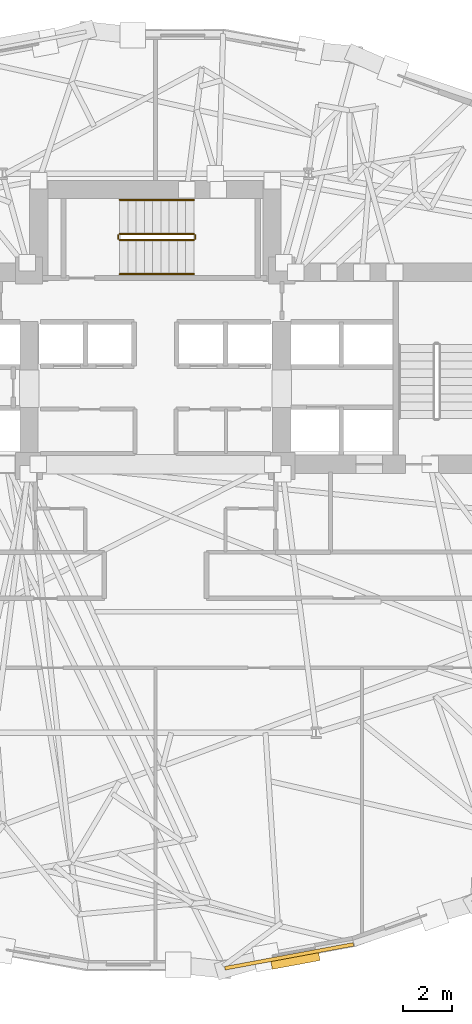
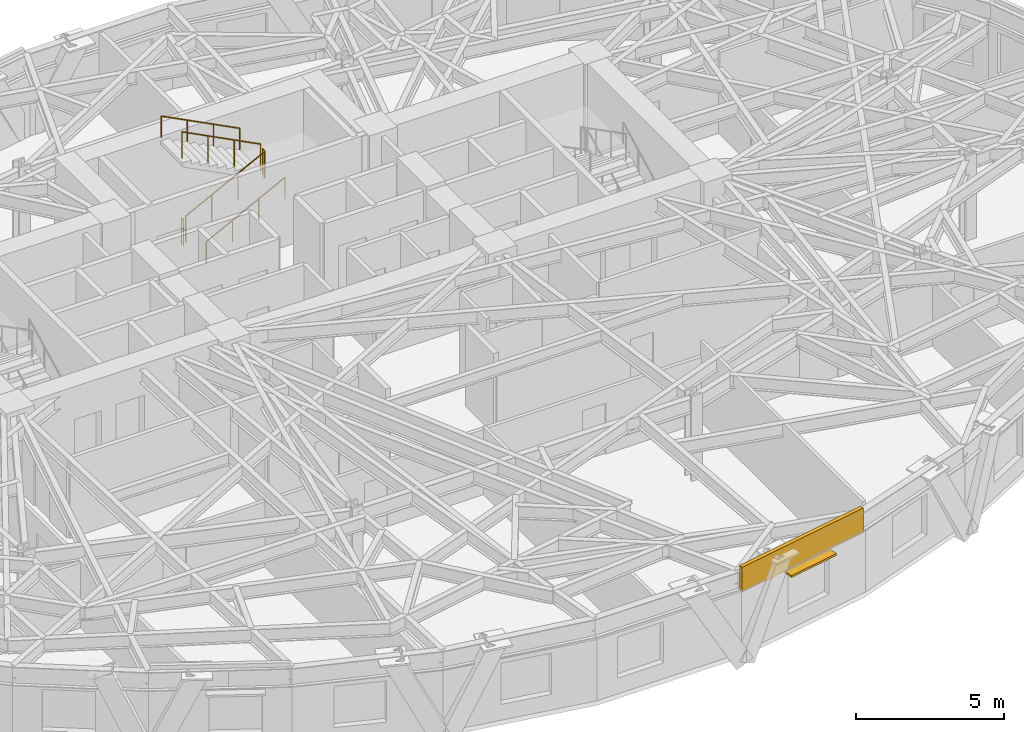
# One storey, part 13 of 15: 6 railings, 1 covering, 1 shading device.
"""IFC4 building model written with IfcOpenShell, lengths in metres."""

import ifcopenshell
import ifcopenshell.guid

model = None  # the IFC model being written
_history = None  # IfcOwnerHistory: only IFC2X3 demands one
_inside = {}  # id of a spatial element -> (the spatial element, [elements in it])
_under = {}  # id of a project, library or spatial element -> (it, [spatial elements below it])
_declared = {}  # id of a project -> (the project, [libraries it declares])
_typed = {}  # id of a type object -> (the type object, [elements of that type])
_made_of = {}  # id of a material, layer set ... -> (it, [elements and type objects made of it])


def new_model(schema):
    """Start an empty IFC model of exactly this schema.

    Asked for "IFC4X3", IfcOpenShell would pick the latest addendum, in which some entities
    have other attributes; the version numbers below select the first issue.
    IFC2X3 requires an IfcOwnerHistory on every rooted entity: one is made here for all.
    """
    global model, _history
    if schema == "IFC4X3":
        model = ifcopenshell.file(schema_version=(4, 3, 0, 0))
    else:
        model = ifcopenshell.file(schema=schema)
    _inside.clear()
    _under.clear()
    _declared.clear()
    _typed.clear()
    _made_of.clear()
    _history = None
    if model.schema == "IFC2X3":
        org = make("IfcOrganization", Name="unknown")
        user = make(
            "IfcPersonAndOrganization",
            ThePerson=make("IfcPerson", FamilyName="unknown"),
            TheOrganization=org,
        )
        app = make(
            "IfcApplication",
            ApplicationDeveloper=org,
            Version="unknown",
            ApplicationFullName="unknown",
            ApplicationIdentifier="unknown",
        )
        _history = make(
            "IfcOwnerHistory",
            OwningUser=user,
            OwningApplication=app,
            ChangeAction="ADDED",
            CreationDate=0,
        )
    return model


def make(cls, **values):
    """One entity of the class cls with the attributes given. An attribute that is None is left unset."""
    return model.create_entity(
        cls, **{name: value for name, value in values.items() if value is not None}
    )


def rooted(cls, **values):
    """An entity with a GlobalId (a new one), such as an element, a storey or a relation."""
    return make(cls, GlobalId=ifcopenshell.guid.new(), OwnerHistory=_history, **values)


def si_unit(unit_type, name, prefix=None):
    """IfcSIUnit, for example si_unit("LENGTHUNIT", "METRE", prefix="MILLI")."""
    return make("IfcSIUnit", UnitType=unit_type, Prefix=prefix, Name=name)


def assignment(units):
    """IfcUnitAssignment: the units of a project."""
    return None if units is None else make("IfcUnitAssignment", Units=units)


def point(xyz):
    """IfcCartesianPoint."""
    return None if xyz is None else make("IfcCartesianPoint", Coordinates=xyz)


def direction(xyz):
    """IfcDirection."""
    return None if xyz is None else make("IfcDirection", DirectionRatios=xyz)


def frame(location, z_axis=None, x_axis=None):
    """IfcAxis2Placement3D, a coordinate frame: its origin and axes. An axis left out is left unset."""
    return make(
        "IfcAxis2Placement3D",
        Location=point(location),
        Axis=direction(z_axis),
        RefDirection=direction(x_axis),
    )


def frame_2d(location, x_axis=None):
    """IfcAxis2Placement2D, a coordinate frame in the plane: its origin and x axis."""
    return make(
        "IfcAxis2Placement2D", Location=point(location), RefDirection=direction(x_axis)
    )


def origin():
    """The frame at (0, 0, 0) with its axes left unset."""
    return frame((0.0, 0.0, 0.0))


def origin_2d():
    """The frame at (0, 0) in the plane with its x axis left unset."""
    return frame_2d((0.0, 0.0))


def place(relative_to, where):
    """IfcLocalPlacement: puts the frame where relative to a parent placement (None: the world)."""
    return make(
        "IfcLocalPlacement", PlacementRelTo=relative_to, RelativePlacement=where
    )


def context(
    kind, dimensions, precision=None, world=None, true_north=None, identifier=None
):
    """IfcGeometricRepresentationContext, for example the 3D "Model" context."""
    return make(
        "IfcGeometricRepresentationContext",
        ContextIdentifier=identifier,
        ContextType=kind,
        CoordinateSpaceDimension=dimensions,
        Precision=precision,
        WorldCoordinateSystem=world,
        TrueNorth=true_north,
    )


def subcontext(parent, identifier, kind, view, scale=None):
    """IfcGeometricRepresentationSubContext, for example "Body" below "Model"."""
    return make(
        "IfcGeometricRepresentationSubContext",
        ContextIdentifier=identifier,
        ContextType=kind,
        ParentContext=parent,
        TargetScale=scale,
        TargetView=view,
    )


def project(units=None, contexts=None):
    """IfcProject with its units and contexts."""
    return rooted(
        "IfcProject",
        Name="project",
        RepresentationContexts=contexts,
        UnitsInContext=assignment(units),
    )


def spatial(cls, under=None, at=None, **own):
    """A site, building, storey or space (cls), placed at a placement, below another one or the project."""
    s = rooted(cls, ObjectPlacement=at, **own)
    if under is not None:
        _under.setdefault(under.id(), (under, []))[1].append(s)
    return s


def profile(cls, at=None, kind="AREA", **sizes):
    """A parametric profile (cls). Its sizes go by their IFC names, for example OverallWidth=200.0."""
    return make(cls, ProfileType=kind, Position=at, **sizes)


def rectangle(**sizes):
    """IfcRectangleProfileDef."""
    return profile("IfcRectangleProfileDef", **sizes)


def circle(**sizes):
    """IfcCircleProfileDef."""
    return profile("IfcCircleProfileDef", **sizes)


def extrude(swept, where, along, depth):
    """IfcExtrudedAreaSolid: the profile swept, set in the frame where, extruded along a direction by depth."""
    return make(
        "IfcExtrudedAreaSolid",
        SweptArea=swept,
        Position=where,
        ExtrudedDirection=direction(along),
        Depth=depth,
    )


def shape(context_of_items, identifier, shape_type, items):
    """IfcShapeRepresentation: the items that make up one representation, for example the "Body"."""
    return make(
        "IfcShapeRepresentation",
        ContextOfItems=context_of_items,
        RepresentationIdentifier=identifier,
        RepresentationType=shape_type,
        Items=items,
    )


def material(Name=None, Category=None):
    """IfcMaterial."""
    return make("IfcMaterial", Name=Name, Category=Category)


def layer(
    of_material, thickness, ventilated=None, Name=None, Category=None, Priority=None
):
    """IfcMaterialLayer: one layer of a wall or slab, of a material (None: an air gap)."""
    return make(
        "IfcMaterialLayer",
        Material=of_material,
        LayerThickness=thickness,
        IsVentilated=ventilated,
        Name=Name,
        Category=Category,
        Priority=Priority,
    )


def layer_set(layers, Name=None):
    """IfcMaterialLayerSet."""
    return make("IfcMaterialLayerSet", MaterialLayers=layers, LayerSetName=Name)


def made_of(thing, what):
    """Note that an element or type object is made of a material, layer set ...; save() writes the relation."""
    if what is not None:
        _made_of.setdefault(what.id(), (what, []))[1].append(thing)
    return thing


def type_object(cls, material=None, **own):
    """A type object (cls), such as IfcWallType, which elements share."""
    return made_of(rooted(cls, **own), material)


def element(
    cls,
    number,
    at=None,
    inside=None,
    cuts=None,
    type_object=None,
    material=None,
    context=None,
    identifier="Body",
    shape_type=None,
    held_by="IfcProductDefinitionShape",
    body=None,
    shapes=None,
    **own,
):
    """One element of the class cls, such as IfcWall. Its Tag is "e" and its number.

    at: its placement. inside: the storey or other place that contains it. cuts: it is an
    opening in that element (IfcRelVoidsElement). A single representation is given by context,
    identifier, shape_type and body (its items); several are given by shapes. held_by: the class
    of the entity that holds the representations. save() writes the other relations.
    """
    e = rooted(cls, Tag="e%d" % number, ObjectPlacement=at, **own)
    if body is not None:
        shapes = [shape(context, identifier, shape_type, body)]
    if shapes is not None:
        e.Representation = make(held_by, Representations=shapes)
    if inside is not None:
        _inside.setdefault(inside.id(), (inside, []))[1].append(e)
    if cuts is not None:
        rooted(
            "IfcRelVoidsElement", RelatingBuildingElement=cuts, RelatedOpeningElement=e
        )
    if type_object is not None:
        _typed.setdefault(type_object.id(), (type_object, []))[1].append(e)
    return made_of(e, material)


def aggregate(whole, parts):
    """IfcRelAggregates: a whole, such as a stair, and the parts it consists of."""
    return rooted("IfcRelAggregates", RelatingObject=whole, RelatedObjects=parts)


def save(model, path):
    """Write the relations noted so far, then the file.

    IfcRelAggregates (storeys below a building ...), IfcRelContainedInSpatialStructure (elements
    in a storey), IfcRelDefinesByType, IfcRelAssociatesMaterial and IfcRelDeclares: one each for
    every whole, place, type object, material and project.
    """
    for whole, parts in _under.values():
        aggregate(whole, parts)
    for where, things in _inside.values():
        rooted(
            "IfcRelContainedInSpatialStructure",
            RelatedElements=things,
            RelatingStructure=where,
        )
    for kind, things in _typed.values():
        rooted("IfcRelDefinesByType", RelatedObjects=things, RelatingType=kind)
    for what, things in _made_of.values():
        rooted("IfcRelAssociatesMaterial", RelatedObjects=things, RelatingMaterial=what)
    for by, libraries in _declared.values():
        rooted("IfcRelDeclares", RelatingContext=by, RelatedDefinitions=libraries)
    model.write(path)


model = new_model("IFC4")

# Units and contexts
model_context = context("Model", 3, precision=1e-05, world=origin(), true_north=direction((0.0, 1.0)))
body_context = subcontext(model_context, "Body", "Model", "MODEL_VIEW")
ifc_project = project(units=[si_unit("LENGTHUNIT", "METRE"), si_unit("AREAUNIT", "SQUARE_METRE"), si_unit("VOLUMEUNIT", "CUBIC_METRE"), si_unit("PLANEANGLEUNIT", "RADIAN"), si_unit("MASSUNIT", "GRAM", prefix="KILO")], contexts=[model_context])

# Site, building, storey
site_placement = place(None, origin())
site = spatial("IfcSite", under=ifc_project, at=site_placement, CompositionType="ELEMENT")
building_placement = place(site_placement, origin())
building = spatial("IfcBuilding", under=site, at=building_placement, Name="Keldmark Tower", CompositionType="ELEMENT")
storey_placement = place(building_placement, frame((0.0, 0.0, 93.10009765625)))
storey = spatial("IfcBuildingStorey", under=building, at=storey_placement, Name="L24", CompositionType="ELEMENT", Elevation=93.10009765625)

# Shading device
ifc_material_1 = material(Name="Kasota Buff Limestone Bullnose and Bronze Anodized Aluminum", Category="masonry")
ifc_layer_1 = layer(ifc_material_1, 0.080078125)
ifc_layer_set_1 = layer_set([ifc_layer_1], Name="Kasota Buff Limestone Bullnose and Bronze Anodized Aluminum")
shading_device_type = type_object("IfcShadingDeviceType", Name="Deep-Set Punched Window Stone-and-Metal Sunshade", PredefinedType="AWNING", material=ifc_layer_set_1)
shading_device_placement = place(storey_placement, frame((5.75634765625, -18.92919921875, 2.35986328125), z_axis=(0.0, 0.0, 1.0), x_axis=(-0.983168921925, -0.1826988532, 0.0)))
element("IfcShadingDevice", 1, at=shading_device_placement, inside=storey, type_object=shading_device_type, Name="L24 Kasota Stone Window Sunshade 25", PredefinedType="AWNING", context=body_context, shape_type="SweptSolid", body=[
    extrude(rectangle(XDim=2.0, YDim=0.419921875, at=origin_2d()), origin(), (0.0, 0.0, 1.0), 0.080078125),
])

# Covering
ifc_material_2 = material(Name="Honed Kasota Buff Dolomitic Limestone", Category="masonry")
ifc_layer_2 = layer(ifc_material_2, 0.074951171875)
ifc_layer_set_2 = layer_set([ifc_layer_2], Name="Honed Kasota Buff Dolomitic Limestone")
covering_type = type_object("IfcCoveringType", Name="Kasota Buff Limestone Spandrel Cladding Band", PredefinedType="CLADDING", material=ifc_layer_set_2)
covering_placement = place(storey_placement, frame((5.50341796875, -18.782958984375, 2.45166015625), z_axis=(0.0, 0.0, 1.0), x_axis=(0.983168921925, 0.1826988532, 0.0)))
element("IfcCovering", 2, at=covering_placement, inside=storey, type_object=covering_type, Name="L24 Kasota Limestone Spandrel Band 25", PredefinedType="CLADDING", context=body_context, shape_type="SweptSolid", body=[
    extrude(rectangle(XDim=5.3837890625, YDim=0.14990234375, at=origin_2d()), origin(), (0.0, 0.0, 1.0), 1.028076171875),
])

# Railings
ifc_material_3 = material(Name="Painted Steel ASTM A500 Grade B", Category="steel")
railing_type_1 = type_object("IfcRailingType", Name="Painted Steel Stair Well Guard 1100 mm", PredefinedType="GUARDRAIL", material=ifc_material_3)
railing_1_placement = place(storey_placement, frame((-1.47509765625, 10.699951171875, 0.1748046875)))
element("IfcRailing", 3, at=railing_1_placement, inside=storey, type_object=railing_type_1, Name="L24 ST3 stair guard 1", PredefinedType="GUARDRAIL", context=body_context, shape_type="SweptSolid", body=[
    extrude(circle(Radius=0.02392578125, at=origin_2d()), frame((0.0, 0.0, 1.076171875), z_axis=(0.889116283586, 0.0, 0.457681367616), x_axis=(0.0, 1.0, 0.0)), (0.0, 0.0, 1.0), 3.441650390625),
    extrude(circle(Radius=0.02099609375, at=origin_2d()), origin(), (0.0, 0.0, 1.0), 1.052001953125),
    extrude(circle(Radius=0.02099609375, at=origin_2d()), frame((1.02001953125, 0.0, 0.525146484375)), (0.0, 0.0, 1.0), 1.052001953125),
    extrude(circle(Radius=0.02099609375, at=origin_2d()), frame((2.0400390625, 0.0, 1.050048828125)), (0.0, 0.0, 1.0), 1.052001953125),
    extrude(circle(Radius=0.02099609375, at=origin_2d()), frame((3.06005859375, 0.0, 1.5751953125)), (0.0, 0.0, 1.0), 1.052001953125),
])
railing_2_placement = place(storey_placement, frame((1.635009765625, 10.75, 1.75)))
element("IfcRailing", 4, at=railing_2_placement, inside=storey, type_object=railing_type_1, Name="L24 ST3 stair guard 2", PredefinedType="GUARDRAIL", context=body_context, shape_type="SweptSolid", body=[
    extrude(circle(Radius=0.02392578125, at=origin_2d()), frame((0.0, 0.0, 1.076171875), z_axis=(0.0, 1.0, 0.0), x_axis=(-1.0, 0.0, 0.0)), (0.0, 0.0, 1.0), 0.14990234375),
    extrude(circle(Radius=0.02099609375, at=origin_2d()), origin(), (0.0, 0.0, 1.0), 1.052001953125),
    extrude(circle(Radius=0.02099609375, at=origin_2d()), frame((0.0, 0.14990234375, 0.0)), (0.0, 0.0, 1.0), 1.052001953125),
])
railing_3_placement = place(storey_placement, frame((1.5849609375, 10.949951171875, 1.9248046875)))
element("IfcRailing", 5, at=railing_3_placement, inside=storey, type_object=railing_type_1, Name="L24 ST3 stair guard 3", PredefinedType="GUARDRAIL", context=body_context, shape_type="SweptSolid", body=[
    extrude(circle(Radius=0.02392578125, at=origin_2d()), frame((0.0, 0.0, 1.076171875), z_axis=(-0.889116283586, 0.0, 0.457681367616), x_axis=(0.0, -1.0, 0.0)), (0.0, 0.0, 1.0), 3.441650390625),
    extrude(circle(Radius=0.02099609375, at=origin_2d()), origin(), (0.0, 0.0, 1.0), 1.052001953125),
    extrude(circle(Radius=0.02099609375, at=origin_2d()), frame((-1.02001953125, 0.0, 0.525146484375)), (0.0, 0.0, 1.0), 1.052001953125),
    extrude(circle(Radius=0.02099609375, at=origin_2d()), frame((-2.0400390625, 0.0, 1.050048828125)), (0.0, 0.0, 1.0), 1.052001953125),
    extrude(circle(Radius=0.02099609375, at=origin_2d()), frame((-3.06005859375, 0.0, 1.5751953125)), (0.0, 0.0, 1.0), 1.052001953125),
])
railing_4_placement = place(storey_placement, frame((-1.52490234375, 10.75, 0.0)))
element("IfcRailing", 6, at=railing_4_placement, inside=storey, type_object=railing_type_1, Name="L24 ST3 stair guard 4", PredefinedType="GUARDRAIL", context=body_context, shape_type="SweptSolid", body=[
    extrude(circle(Radius=0.02392578125, at=origin_2d()), frame((0.0, 0.0, 1.076171875), z_axis=(0.0, 1.0, 0.0), x_axis=(-1.0, 0.0, 0.0)), (0.0, 0.0, 1.0), 0.14990234375),
    extrude(circle(Radius=0.02099609375, at=origin_2d()), origin(), (0.0, 0.0, 1.0), 1.052001953125),
    extrude(circle(Radius=0.02099609375, at=origin_2d()), frame((0.0, 0.14990234375, 0.0)), (0.0, 0.0, 1.0), 1.052001953125),
])
ifc_material_4 = material(Name="Stainless Steel AISI 316L", Category="steel")
railing_type_2 = type_object("IfcRailingType", Name="Stainless Steel Stair Handrail 900 mm", PredefinedType="HANDRAIL", material=ifc_material_4)
railing_5_placement = place(storey_placement, frame((-1.47509765625, 9.300048828125, 0.1748046875)))
element("IfcRailing", 7, at=railing_5_placement, inside=storey, type_object=railing_type_2, Name="L24 ST3 stair handrail 1", PredefinedType="HANDRAIL", context=body_context, shape_type="SweptSolid", body=[
    extrude(circle(Radius=0.02392578125, at=origin_2d()), frame((0.0, 0.0, 0.8759765625), z_axis=(0.889116283586, 0.0, 0.457681367616), x_axis=(0.0, 1.0, 0.0)), (0.0, 0.0, 1.0), 3.441650390625),
    extrude(circle(Radius=0.02099609375, at=origin_2d()), origin(), (0.0, 0.0, 1.0), 0.851806640625),
    extrude(circle(Radius=0.02099609375, at=origin_2d()), frame((1.02001953125, 0.0, 0.525146484375)), (0.0, 0.0, 1.0), 0.851806640625),
    extrude(circle(Radius=0.02099609375, at=origin_2d()), frame((2.0400390625, 0.0, 1.050048828125)), (0.0, 0.0, 1.0), 0.851806640625),
    extrude(circle(Radius=0.02099609375, at=origin_2d()), frame((3.06005859375, 0.0, 1.5751953125)), (0.0, 0.0, 1.0), 0.851806640625),
])
railing_6_placement = place(storey_placement, frame((1.5849609375, 12.35009765625, 1.9248046875)))
element("IfcRailing", 8, at=railing_6_placement, inside=storey, type_object=railing_type_2, Name="L24 ST3 stair handrail 2", PredefinedType="HANDRAIL", context=body_context, shape_type="SweptSolid", body=[
    extrude(circle(Radius=0.02392578125, at=origin_2d()), frame((0.0, 0.0, 0.8759765625), z_axis=(-0.889116283586, 0.0, 0.457681367616), x_axis=(0.0, -1.0, 0.0)), (0.0, 0.0, 1.0), 3.441650390625),
    extrude(circle(Radius=0.02099609375, at=origin_2d()), origin(), (0.0, 0.0, 1.0), 0.851806640625),
    extrude(circle(Radius=0.02099609375, at=origin_2d()), frame((-1.02001953125, 0.0, 0.525146484375)), (0.0, 0.0, 1.0), 0.851806640625),
    extrude(circle(Radius=0.02099609375, at=origin_2d()), frame((-2.0400390625, 0.0, 1.050048828125)), (0.0, 0.0, 1.0), 0.851806640625),
    extrude(circle(Radius=0.02099609375, at=origin_2d()), frame((-3.06005859375, 0.0, 1.5751953125)), (0.0, 0.0, 1.0), 0.851806640625),
])

save(model, "model.ifc")
